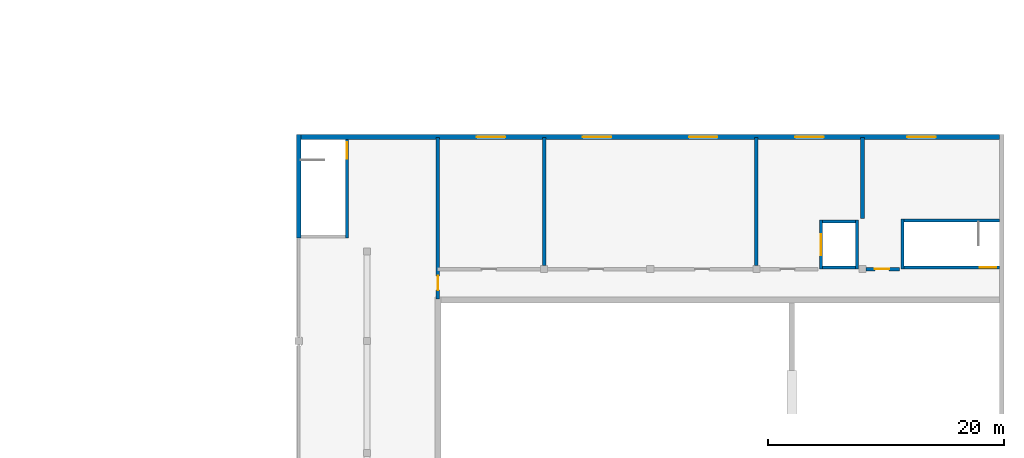
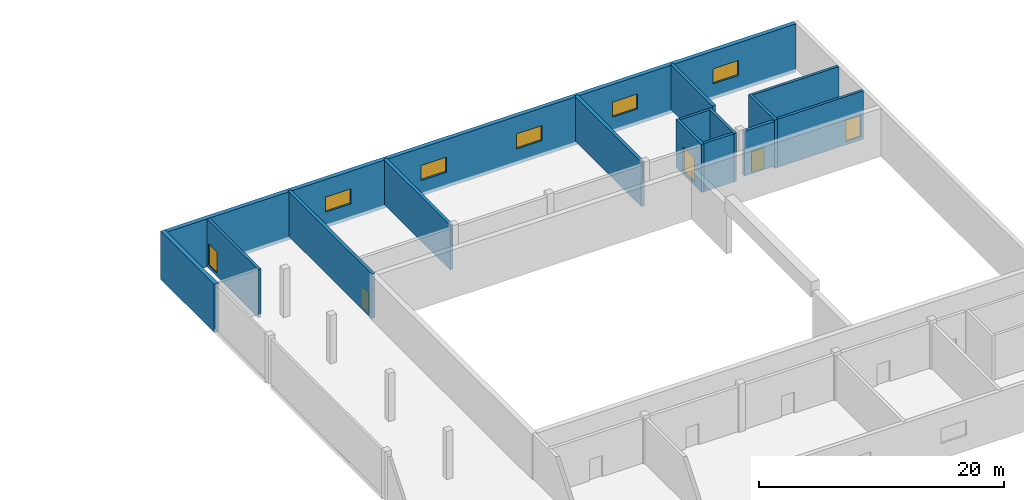
# One storey, part 20 of 31: 15 walls, 5 doors, 5 windows, 10 openings.
"""IFC4 building model written with IfcOpenShell, lengths in metres."""

from ifc_helpers import new_model, si_unit, direction, frame, frame_2d, origin, place, context, subcontext, project, spatial, rectangle, extrude, material, layer, layer_set, type_object, element, fill, save


model = new_model("IFC4")

# Units and contexts
model_context = context("Model", 3, precision=1e-05, world=origin(), true_north=direction((0.0, 1.0)))
body_context = subcontext(model_context, "Body", "Model", "MODEL_VIEW")
ifc_project = project(units=[si_unit("LENGTHUNIT", "METRE"), si_unit("AREAUNIT", "SQUARE_METRE"), si_unit("VOLUMEUNIT", "CUBIC_METRE"), si_unit("PLANEANGLEUNIT", "RADIAN"), si_unit("MASSUNIT", "GRAM", prefix="KILO")], contexts=[model_context])

# Site, building, storey
site_placement = place(None, origin())
site = spatial("IfcSite", under=ifc_project, at=site_placement, CompositionType="ELEMENT")
building_placement = place(site_placement, origin())
building = spatial("IfcBuilding", under=site, at=building_placement, Name="Hunhe Ridgeline Campus", CompositionType="ELEMENT")
storey_placement = place(building_placement, frame((0.0, 0.0, 16.800048828125)))
storey = spatial("IfcBuildingStorey", under=building, at=storey_placement, Name="L03", CompositionType="ELEMENT", Elevation=16.800048828125)

# Wall, opening, door
ifc_material_1 = material(Name="Plastered blockwork", Category="masonry")
ifc_layer_1 = layer(ifc_material_1, 0.300048828125)
ifc_layer_set_1 = layer_set([ifc_layer_1], Name="Hall blockwork partition 300")
wall_type_1 = type_object("IfcWallType", Name="Hall blockwork partition 300", PredefinedType="PARTITIONING", material=ifc_layer_set_1)
wall_1_placement = place(storey_placement, frame((162.0, 62.580078125, 0.0), z_axis=(0.0, 0.0, 1.0), x_axis=(0.0, 1.0, 0.0)))
wall_1 = element("IfcWall", 1, at=wall_1_placement, inside=storey, type_object=wall_type_1, Name="L03 partition", PredefinedType="PARTITIONING", context=body_context, shape_type="SweptSolid", body=[
    extrude(rectangle(XDim=13.68994140625, YDim=0.300048828125, at=frame_2d((6.844970703125, 0.0))), origin(), (0.0, 0.0, 1.0), 4.449951171875),
])
opening_1_placement = place(wall_1_placement, frame((0.75, 0.0, 0.0)))
opening_1 = element("IfcOpeningElement", 2, at=opening_1_placement, cuts=wall_1, Name="Opening HD46", PredefinedType="OPENING", context=body_context, shape_type="SweptSolid", body=[
    extrude(rectangle(XDim=1.199951171875, YDim=2.10009765625, at=frame_2d((0.60009765625, 1.050048828125))), frame((0.0, 0.14990234375, 0.0), z_axis=(0.0, -1.0, 0.0), x_axis=(1.0, 0.0, 0.0)), (0.0, 0.0, 1.0), 0.300048828125),
])
ifc_material_2 = material(Name="Steel Q235", Category="steel")
door_type_1 = type_object("IfcDoorType", Name="Hall fire door 1200x2100 FD60", OperationType="NOTDEFINED", PredefinedType="DOOR", material=ifc_material_2)
door_1_placement = place(opening_1_placement, origin())
door_1 = element("IfcDoor", 3, at=door_1_placement, inside=storey, type_object=door_type_1, Name="Foyer plant room door", OperationType="SINGLE_SWING_LEFT", OverallHeight=2.10009765625, OverallWidth=1.199951171875, PredefinedType="DOOR", context=body_context, shape_type="SweptSolid", body=[
    extrude(rectangle(XDim=1.199951171875, YDim=2.10009765625, at=frame_2d((0.60009765625, 1.050048828125))), frame((0.0, 0.02490234375, 0.0), z_axis=(0.0, -1.0, 0.0), x_axis=(1.0, 0.0, 0.0)), (0.0, 0.0, 1.0), 0.050048828125),
])
fill(opening_1, door_1)

# Walls
for number, where, z_axis, x_axis, name in (
    (4, (171.0, 65.39990234375, 0.0), (0.0, 0.0, 1.0), (0.0, 1.0, 0.0), "L03 partition"),
    (5, (189.0, 65.39990234375, 0.0), (0.0, 0.0, 1.0), (0.0, 1.0, 0.0), "L03 partition"),
):
    element("IfcWall", number, at=place(storey_placement, frame(where, z_axis=z_axis, x_axis=x_axis)), inside=storey, type_object=wall_type_1, Name=name, PredefinedType="PARTITIONING", context=body_context, shape_type="SweptSolid", body=[
        extrude(rectangle(XDim=10.8701171875, YDim=0.300048828125, at=frame_2d((5.43505859375, 0.0))), origin(), (0.0, 0.0, 1.0), 4.449951171875),
    ])
wall_2_placement = place(storey_placement, frame((198.0, 69.3798828125, 0.0), z_axis=(0.0, 0.0, 1.0), x_axis=(0.0, 1.0, 0.0)))
element("IfcWall", 6, at=wall_2_placement, inside=storey, type_object=wall_type_1, Name="L03 partition", PredefinedType="PARTITIONING", context=body_context, shape_type="SweptSolid", body=[
    extrude(rectangle(XDim=6.89013671875, YDim=0.300048828125, at=frame_2d((3.445068359375, 0.0))), origin(), (0.0, 0.0, 1.0), 4.449951171875),
])

# Wall, opening, door
wall_3_placement = place(storey_placement, frame((201.1201171875, 65.10009765625, 0.0), z_axis=(0.0, 0.0, 1.0), x_axis=(-1.0, 0.0, 0.0)))
wall_3 = element("IfcWall", 7, at=wall_3_placement, inside=storey, type_object=wall_type_1, Name="L03 partition", PredefinedType="PARTITIONING", context=body_context, shape_type="SweptSolid", body=[
    extrude(rectangle(XDim=2.820068359375, YDim=0.300048828125, at=frame_2d((1.41015625, 0.0))), origin(), (0.0, 0.0, 1.0), 4.449951171875),
])
opening_2_placement = place(wall_3_placement, frame((0.8701171875, 0.0, 0.0)))
opening_2 = element("IfcOpeningElement", 8, at=opening_2_placement, cuts=wall_3, Name="Opening HD56", PredefinedType="OPENING", context=body_context, shape_type="SweptSolid", body=[
    extrude(rectangle(XDim=1.199951171875, YDim=2.10009765625, at=frame_2d((0.60009765625, 1.050048828125))), frame((0.0, 0.14990234375, 0.0), z_axis=(0.0, -1.0, 0.0), x_axis=(1.0, 0.0, 0.0)), (0.0, 0.0, 1.0), 0.300048828125),
])
door_2_placement = place(opening_2_placement, origin())
door_2 = element("IfcDoor", 9, at=door_2_placement, inside=storey, type_object=door_type_1, Name="Water tank and pump room door", OperationType="SINGLE_SWING_RIGHT", OverallHeight=2.10009765625, OverallWidth=1.199951171875, PredefinedType="DOOR", context=body_context, shape_type="SweptSolid", body=[
    extrude(rectangle(XDim=1.199951171875, YDim=2.10009765625, at=frame_2d((0.60009765625, 1.050048828125))), frame((0.0, 0.02490234375, 0.0), z_axis=(0.0, -1.0, 0.0), x_axis=(1.0, 0.0, 0.0)), (0.0, 0.0, 1.0), 0.050048828125),
])
fill(opening_2, door_2)

# Wall
ifc_material_3 = material(Name="Concrete C40", Category="concrete")
ifc_layer_2 = layer(ifc_material_3, 0.39990234375)
ifc_layer_set_2 = layer_set([ifc_layer_2], Name="Hall external RC wall 400 C40")
wall_type_2 = type_object("IfcWallType", Name="Hall external RC wall 400 C40", PredefinedType="SOLIDWALL", material=ifc_layer_set_2)
wall_4_placement = place(storey_placement, frame((150.199951171875, 67.75, -0.35009765625), z_axis=(0.0, 0.0, 1.0), x_axis=(0.0, 1.0, 0.0)))
element("IfcWall", 10, at=wall_4_placement, inside=storey, type_object=wall_type_2, Name="Hall L03 west wall 3", PredefinedType="SOLIDWALL", context=body_context, shape_type="SweptSolid", body=[
    extrude(rectangle(XDim=8.75, YDim=0.39990234375, at=frame_2d((4.375, 0.0))), origin(), (0.0, 0.0, 1.0), 4.800048828125),
])

# Wall, openings, windows
wall_5_placement = place(storey_placement, frame((150.39990234375, 76.300048828125, -0.35009765625), z_axis=(0.0, 0.0, 1.0), x_axis=(1.0, 0.0, 0.0)))
wall_5 = element("IfcWall", 11, at=wall_5_placement, inside=storey, type_object=wall_type_2, Name="Hall L03 north wall", PredefinedType="SOLIDWALL", context=body_context, shape_type="SweptSolid", body=[
    extrude(rectangle(XDim=59.2001953125, YDim=0.39990234375, at=frame_2d((29.60009765625, 0.0))), origin(), (0.0, 0.0, 1.0), 4.800048828125),
])
opening_3_placement = place(wall_5_placement, frame((14.89990234375, 0.0, 1.550048828125)))
opening_3 = element("IfcOpeningElement", 12, at=opening_3_placement, cuts=wall_5, Name="Opening HWN38", PredefinedType="OPENING", context=body_context, shape_type="SweptSolid", body=[
    extrude(rectangle(XDim=2.39990234375, YDim=1.5, at=frame_2d((1.199951171875, 0.75))), frame((0.0, 0.199951171875, 0.0), z_axis=(0.0, -1.0, 0.0), x_axis=(1.0, 0.0, 0.0)), (0.0, 0.0, 1.0), 0.39990234375),
])
opening_4_placement = place(wall_5_placement, frame((23.89990234375, 0.0, 1.550048828125)))
opening_4 = element("IfcOpeningElement", 13, at=opening_4_placement, cuts=wall_5, Name="Opening HWN39", PredefinedType="OPENING", context=body_context, shape_type="SweptSolid", body=[
    extrude(rectangle(XDim=2.39990234375, YDim=1.5, at=frame_2d((1.199951171875, 0.75))), frame((0.0, 0.199951171875, 0.0), z_axis=(0.0, -1.0, 0.0), x_axis=(1.0, 0.0, 0.0)), (0.0, 0.0, 1.0), 0.39990234375),
])
opening_5_placement = place(wall_5_placement, frame((32.89990234375, 0.0, 1.550048828125)))
opening_5 = element("IfcOpeningElement", 14, at=opening_5_placement, cuts=wall_5, Name="Opening HWN40", PredefinedType="OPENING", context=body_context, shape_type="SweptSolid", body=[
    extrude(rectangle(XDim=2.39990234375, YDim=1.5, at=frame_2d((1.199951171875, 0.75))), frame((0.0, 0.199951171875, 0.0), z_axis=(0.0, -1.0, 0.0), x_axis=(1.0, 0.0, 0.0)), (0.0, 0.0, 1.0), 0.39990234375),
])
opening_6_placement = place(wall_5_placement, frame((41.89990234375, 0.0, 1.550048828125)))
opening_6 = element("IfcOpeningElement", 15, at=opening_6_placement, cuts=wall_5, Name="Opening HWN41", PredefinedType="OPENING", context=body_context, shape_type="SweptSolid", body=[
    extrude(rectangle(XDim=2.39990234375, YDim=1.5, at=frame_2d((1.199951171875, 0.75))), frame((0.0, 0.199951171875, 0.0), z_axis=(0.0, -1.0, 0.0), x_axis=(1.0, 0.0, 0.0)), (0.0, 0.0, 1.0), 0.39990234375),
])
opening_7_placement = place(wall_5_placement, frame((51.39990234375, 0.0, 1.550048828125)))
opening_7 = element("IfcOpeningElement", 16, at=opening_7_placement, cuts=wall_5, Name="Opening HWN42", PredefinedType="OPENING", context=body_context, shape_type="SweptSolid", body=[
    extrude(rectangle(XDim=2.39990234375, YDim=1.5, at=frame_2d((1.199951171875, 0.75))), frame((0.0, 0.199951171875, 0.0), z_axis=(0.0, -1.0, 0.0), x_axis=(1.0, 0.0, 0.0)), (0.0, 0.0, 1.0), 0.39990234375),
])
ifc_material_4 = material(Name="Anodised aluminium louvre", Category="aluminium")
window_type = type_object("IfcWindowType", Name="Hall plant louvre 2400x1500", PartitioningType="SINGLE_PANEL", PredefinedType="WINDOW", material=ifc_material_4)
window_1_placement = place(opening_3_placement, origin())
window_1 = element("IfcWindow", 17, at=window_1_placement, inside=storey, type_object=window_type, Name="L03 plant louvre", OverallHeight=1.5, OverallWidth=2.39990234375, PartitioningType="SINGLE_PANEL", PredefinedType="WINDOW", context=body_context, shape_type="SweptSolid", body=[
    extrude(rectangle(XDim=2.39990234375, YDim=1.5, at=frame_2d((1.199951171875, 0.75))), frame((0.0, 0.030029296875, 0.0), z_axis=(0.0, -1.0, 0.0), x_axis=(1.0, 0.0, 0.0)), (0.0, 0.0, 1.0), 0.06005859375),
])
fill(opening_3, window_1)
window_2_placement = place(opening_4_placement, origin())
window_2 = element("IfcWindow", 18, at=window_2_placement, inside=storey, type_object=window_type, Name="L03 plant louvre", OverallHeight=1.5, OverallWidth=2.39990234375, PartitioningType="SINGLE_PANEL", PredefinedType="WINDOW", context=body_context, shape_type="SweptSolid", body=[
    extrude(rectangle(XDim=2.39990234375, YDim=1.5, at=frame_2d((1.199951171875, 0.75))), frame((0.0, 0.030029296875, 0.0), z_axis=(0.0, -1.0, 0.0), x_axis=(1.0, 0.0, 0.0)), (0.0, 0.0, 1.0), 0.06005859375),
])
fill(opening_4, window_2)
window_3_placement = place(opening_5_placement, origin())
window_3 = element("IfcWindow", 19, at=window_3_placement, inside=storey, type_object=window_type, Name="L03 plant louvre", OverallHeight=1.5, OverallWidth=2.39990234375, PartitioningType="SINGLE_PANEL", PredefinedType="WINDOW", context=body_context, shape_type="SweptSolid", body=[
    extrude(rectangle(XDim=2.39990234375, YDim=1.5, at=frame_2d((1.199951171875, 0.75))), frame((0.0, 0.030029296875, 0.0), z_axis=(0.0, -1.0, 0.0), x_axis=(1.0, 0.0, 0.0)), (0.0, 0.0, 1.0), 0.06005859375),
])
fill(opening_5, window_3)
window_4_placement = place(opening_6_placement, origin())
window_4 = element("IfcWindow", 20, at=window_4_placement, inside=storey, type_object=window_type, Name="L03 plant louvre", OverallHeight=1.5, OverallWidth=2.39990234375, PartitioningType="SINGLE_PANEL", PredefinedType="WINDOW", context=body_context, shape_type="SweptSolid", body=[
    extrude(rectangle(XDim=2.39990234375, YDim=1.5, at=frame_2d((1.199951171875, 0.75))), frame((0.0, 0.030029296875, 0.0), z_axis=(0.0, -1.0, 0.0), x_axis=(1.0, 0.0, 0.0)), (0.0, 0.0, 1.0), 0.06005859375),
])
fill(opening_6, window_4)
window_5_placement = place(opening_7_placement, origin())
window_5 = element("IfcWindow", 21, at=window_5_placement, inside=storey, type_object=window_type, Name="L03 plant louvre", OverallHeight=1.5, OverallWidth=2.39990234375, PartitioningType="SINGLE_PANEL", PredefinedType="WINDOW", context=body_context, shape_type="SweptSolid", body=[
    extrude(rectangle(XDim=2.39990234375, YDim=1.5, at=frame_2d((1.199951171875, 0.75))), frame((0.0, 0.030029296875, 0.0), z_axis=(0.0, -1.0, 0.0), x_axis=(1.0, 0.0, 0.0)), (0.0, 0.0, 1.0), 0.06005859375),
])
fill(opening_7, window_5)

# Wall, opening, door
ifc_layer_3 = layer(ifc_material_3, 0.25)
ifc_layer_set_3 = layer_set([ifc_layer_3], Name="Hall shaft wall 250 C40")
wall_type_3 = type_object("IfcWallType", Name="Hall shaft wall 250 C40", PredefinedType="SOLIDWALL", material=ifc_layer_set_3)
wall_6_placement = place(storey_placement, frame((154.27490234375, 76.10009765625, -0.35009765625), z_axis=(0.0, 0.0, 1.0), x_axis=(0.0, -1.0, 0.0)))
wall_6 = element("IfcWall", 22, at=wall_6_placement, inside=storey, type_object=wall_type_3, Name="L03 stair HS2 shaft wall", PredefinedType="SOLIDWALL", context=body_context, shape_type="SweptSolid", body=[
    extrude(rectangle(XDim=8.35009765625, YDim=0.25, at=frame_2d((4.175048828125, 0.0))), origin(), (0.0, 0.0, 1.0), 4.800048828125),
])
opening_8_placement = place(wall_6_placement, frame((0.25, 0.0, 0.35009765625)))
opening_8 = element("IfcOpeningElement", 23, at=opening_8_placement, cuts=wall_6, Name="Opening HD100", PredefinedType="OPENING", context=body_context, shape_type="SweptSolid", body=[
    extrude(rectangle(XDim=1.39990234375, YDim=2.10009765625, at=frame_2d((0.699951171875, 1.050048828125))), frame((0.0, 0.125, 0.0), z_axis=(0.0, -1.0, 0.0), x_axis=(1.0, 0.0, 0.0)), (0.0, 0.0, 1.0), 0.25),
])
door_type_2 = type_object("IfcDoorType", Name="Hall fire door 1400x2100 FD60", OperationType="NOTDEFINED", PredefinedType="DOOR", material=ifc_material_2)
door_3_placement = place(opening_8_placement, origin())
door_3 = element("IfcDoor", 24, at=door_3_placement, inside=storey, type_object=door_type_2, Name="L03 stair HS2 door", OperationType="SINGLE_SWING_RIGHT", OverallHeight=2.10009765625, OverallWidth=1.39990234375, PredefinedType="DOOR", context=body_context, shape_type="SweptSolid", body=[
    extrude(rectangle(XDim=1.39990234375, YDim=2.10009765625, at=frame_2d((0.699951171875, 1.050048828125))), frame((0.0, 0.02490234375, 0.0), z_axis=(0.0, -1.0, 0.0), x_axis=(1.0, 0.0, 0.0)), (0.0, 0.0, 1.0), 0.050048828125),
])
fill(opening_8, door_3)

# Wall
wall_7_placement = place(storey_placement, frame((201.375, 65.10009765625, -0.35009765625), z_axis=(0.0, 0.0, 1.0), x_axis=(0.0, 1.0, 0.0)))
element("IfcWall", 25, at=wall_7_placement, inside=storey, type_object=wall_type_3, Name="L03 stair HS4 shaft wall", PredefinedType="SOLIDWALL", context=body_context, shape_type="SweptSolid", body=[
    extrude(rectangle(XDim=4.25, YDim=0.25, at=frame_2d((2.125, 0.0))), origin(), (0.0, 0.0, 1.0), 4.800048828125),
])

# Wall, opening, door
wall_8_placement = place(storey_placement, frame((209.60009765625, 65.22509765625, -0.35009765625), z_axis=(0.0, 0.0, 1.0), x_axis=(-1.0, 0.0, 0.0)))
wall_8 = element("IfcWall", 26, at=wall_8_placement, inside=storey, type_object=wall_type_3, Name="L03 stair HS4 shaft wall", PredefinedType="SOLIDWALL", context=body_context, shape_type="SweptSolid", body=[
    extrude(rectangle(XDim=8.10009765625, YDim=0.25, at=frame_2d((4.050048828125, 0.0))), origin(), (0.0, 0.0, 1.0), 4.800048828125),
])
opening_9_placement = place(wall_8_placement, frame((0.25, 0.0, 0.35009765625)))
opening_9 = element("IfcOpeningElement", 27, at=opening_9_placement, cuts=wall_8, Name="Opening HD108", PredefinedType="OPENING", context=body_context, shape_type="SweptSolid", body=[
    extrude(rectangle(XDim=1.39990234375, YDim=2.10009765625, at=frame_2d((0.699951171875, 1.050048828125))), frame((0.0, 0.125, 0.0), z_axis=(0.0, -1.0, 0.0), x_axis=(1.0, 0.0, 0.0)), (0.0, 0.0, 1.0), 0.25),
])
door_4_placement = place(opening_9_placement, origin())
door_4 = element("IfcDoor", 28, at=door_4_placement, inside=storey, type_object=door_type_2, Name="L03 stair HS4 door", OperationType="SINGLE_SWING_RIGHT", OverallHeight=2.10009765625, OverallWidth=1.39990234375, PredefinedType="DOOR", context=body_context, shape_type="SweptSolid", body=[
    extrude(rectangle(XDim=1.39990234375, YDim=2.10009765625, at=frame_2d((0.699951171875, 1.050048828125))), frame((0.0, 0.02490234375, 0.0), z_axis=(0.0, -1.0, 0.0), x_axis=(1.0, 0.0, 0.0)), (0.0, 0.0, 1.0), 0.050048828125),
])
fill(opening_9, door_4)

# Wall
wall_9_placement = place(storey_placement, frame((201.5, 69.22509765625, -0.35009765625), z_axis=(0.0, 0.0, 1.0), x_axis=(1.0, 0.0, 0.0)))
element("IfcWall", 29, at=wall_9_placement, inside=storey, type_object=wall_type_3, Name="L03 stair HS4 shaft wall", PredefinedType="SOLIDWALL", context=body_context, shape_type="SweptSolid", body=[
    extrude(rectangle(XDim=8.10009765625, YDim=0.25, at=frame_2d((4.050048828125, 0.0))), origin(), (0.0, 0.0, 1.0), 4.800048828125),
])

# Wall, opening, door
wall_10_placement = place(storey_placement, frame((194.47509765625, 65.10009765625, -0.35009765625), z_axis=(0.0, 0.0, 1.0), x_axis=(0.0, 1.0, 0.0)))
wall_10 = element("IfcWall", 30, at=wall_10_placement, inside=storey, type_object=wall_type_3, Name="L03 lift HL2 shaft wall", PredefinedType="SOLIDWALL", context=body_context, shape_type="SweptSolid", body=[
    extrude(rectangle(XDim=4.14990234375, YDim=0.25, at=frame_2d((2.074951171875, 0.0))), origin(), (0.0, 0.0, 1.0), 4.800048828125),
])
opening_10_placement = place(wall_10_placement, frame((1.175048828125, 0.0, 0.35009765625)))
opening_10 = element("IfcOpeningElement", 31, at=opening_10_placement, cuts=wall_10, Name="Opening LDG", PredefinedType="OPENING", context=body_context, shape_type="SweptSolid", body=[
    extrude(rectangle(XDim=1.800048828125, YDim=2.39990234375, at=frame_2d((0.89990234375, 1.199951171875))), frame((0.0, 0.125, 0.0), z_axis=(0.0, -1.0, 0.0), x_axis=(1.0, 0.0, 0.0)), (0.0, 0.0, 1.0), 0.25),
])
ifc_material_5 = material(Name="Stainless steel sliding leaves", Category="steel")
door_type_3 = type_object("IfcDoorType", Name="Hall goods lift landing door 1800x2400", OperationType="SLIDING_TO_LEFT", PredefinedType="DOOR", material=ifc_material_5)
door_5_placement = place(opening_10_placement, origin())
door_5 = element("IfcDoor", 32, at=door_5_placement, inside=storey, type_object=door_type_3, Name="L03 lift HL2 landing door", OperationType="SLIDING_TO_RIGHT", OverallHeight=2.39990234375, OverallWidth=1.800048828125, PredefinedType="DOOR", context=body_context, shape_type="SweptSolid", body=[
    extrude(rectangle(XDim=1.800048828125, YDim=2.39990234375, at=frame_2d((0.89990234375, 1.199951171875))), frame((0.0, 0.02490234375, 0.0), z_axis=(0.0, -1.0, 0.0), x_axis=(1.0, 0.0, 0.0)), (0.0, 0.0, 1.0), 0.050048828125),
])
fill(opening_10, door_5)

# Walls
wall_11_placement = place(storey_placement, frame((197.52490234375, 69.25, -0.35009765625), z_axis=(0.0, 0.0, 1.0), x_axis=(0.0, -1.0, 0.0)))
element("IfcWall", 33, at=wall_11_placement, inside=storey, type_object=wall_type_3, Name="L03 lift HL2 shaft wall", PredefinedType="SOLIDWALL", context=body_context, shape_type="SweptSolid", body=[
    extrude(rectangle(XDim=4.14990234375, YDim=0.25, at=frame_2d((2.074951171875, 0.0))), origin(), (0.0, 0.0, 1.0), 4.800048828125),
])
for number, where, z_axis, x_axis, name in (
    (34, (197.39990234375, 65.22509765625, -0.35009765625), (0.0, 0.0, 1.0), (-1.0, 0.0, 0.0), "L03 lift HL2 shaft wall"),
    (35, (194.60009765625, 69.125, -0.35009765625), (0.0, 0.0, 1.0), (1.0, 0.0, 0.0), "L03 lift HL2 shaft wall"),
):
    element("IfcWall", number, at=place(storey_placement, frame(where, z_axis=z_axis, x_axis=x_axis)), inside=storey, type_object=wall_type_3, Name=name, PredefinedType="SOLIDWALL", context=body_context, shape_type="SweptSolid", body=[
        extrude(rectangle(XDim=2.7998046875, YDim=0.25, at=frame_2d((1.39990234375, 0.0))), origin(), (0.0, 0.0, 1.0), 4.800048828125),
    ])

save(model, "model.ifc")
